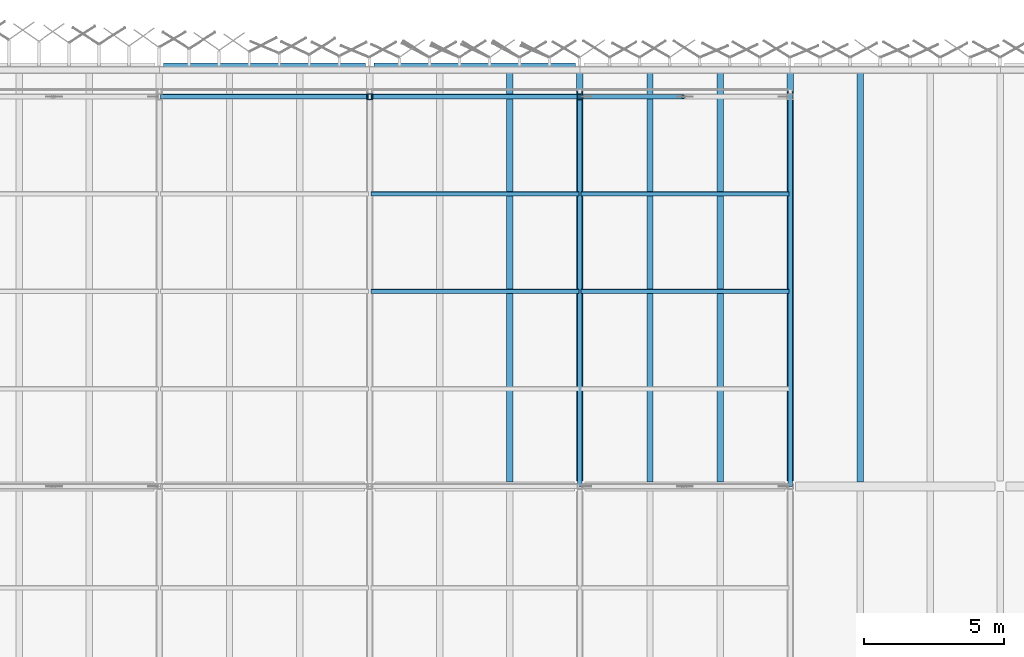
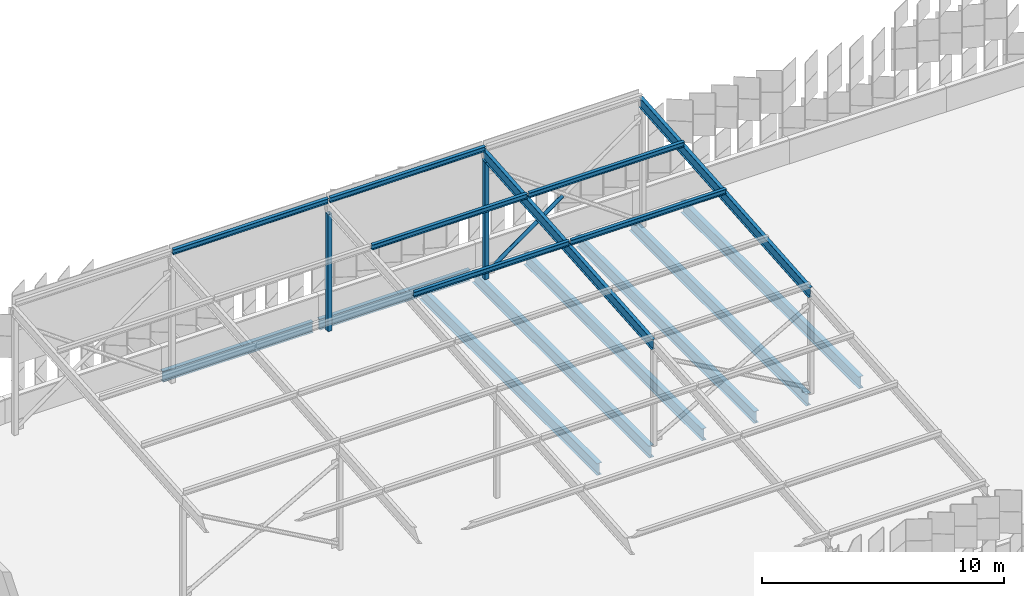
# One storey, part 95 of 483: 11 members, 8 beams.
"""IFC4 building model written with IfcOpenShell, lengths in metres."""

import ifcopenshell
import ifcopenshell.guid

model = None  # the IFC model being written
_history = None  # IfcOwnerHistory: only IFC2X3 demands one
_inside = {}  # id of a spatial element -> (the spatial element, [elements in it])
_under = {}  # id of a project, library or spatial element -> (it, [spatial elements below it])
_declared = {}  # id of a project -> (the project, [libraries it declares])
_typed = {}  # id of a type object -> (the type object, [elements of that type])
_made_of = {}  # id of a material, layer set ... -> (it, [elements and type objects made of it])


def new_model(schema):
    """Start an empty IFC model of exactly this schema.

    Asked for "IFC4X3", IfcOpenShell would pick the latest addendum, in which some entities
    have other attributes; the version numbers below select the first issue.
    IFC2X3 requires an IfcOwnerHistory on every rooted entity: one is made here for all.
    """
    global model, _history
    if schema == "IFC4X3":
        model = ifcopenshell.file(schema_version=(4, 3, 0, 0))
    else:
        model = ifcopenshell.file(schema=schema)
    _inside.clear()
    _under.clear()
    _declared.clear()
    _typed.clear()
    _made_of.clear()
    _history = None
    if model.schema == "IFC2X3":
        org = make("IfcOrganization", Name="unknown")
        user = make(
            "IfcPersonAndOrganization",
            ThePerson=make("IfcPerson", FamilyName="unknown"),
            TheOrganization=org,
        )
        app = make(
            "IfcApplication",
            ApplicationDeveloper=org,
            Version="unknown",
            ApplicationFullName="unknown",
            ApplicationIdentifier="unknown",
        )
        _history = make(
            "IfcOwnerHistory",
            OwningUser=user,
            OwningApplication=app,
            ChangeAction="ADDED",
            CreationDate=0,
        )
    return model


def make(cls, **values):
    """One entity of the class cls with the attributes given. An attribute that is None is left unset."""
    return model.create_entity(
        cls, **{name: value for name, value in values.items() if value is not None}
    )


def rooted(cls, **values):
    """An entity with a GlobalId (a new one), such as an element, a storey or a relation."""
    return make(cls, GlobalId=ifcopenshell.guid.new(), OwnerHistory=_history, **values)


def si_unit(unit_type, name, prefix=None):
    """IfcSIUnit, for example si_unit("LENGTHUNIT", "METRE", prefix="MILLI")."""
    return make("IfcSIUnit", UnitType=unit_type, Prefix=prefix, Name=name)


def assignment(units):
    """IfcUnitAssignment: the units of a project."""
    return None if units is None else make("IfcUnitAssignment", Units=units)


def point(xyz):
    """IfcCartesianPoint."""
    return None if xyz is None else make("IfcCartesianPoint", Coordinates=xyz)


def direction(xyz):
    """IfcDirection."""
    return None if xyz is None else make("IfcDirection", DirectionRatios=xyz)


def frame(location, z_axis=None, x_axis=None):
    """IfcAxis2Placement3D, a coordinate frame: its origin and axes. An axis left out is left unset."""
    return make(
        "IfcAxis2Placement3D",
        Location=point(location),
        Axis=direction(z_axis),
        RefDirection=direction(x_axis),
    )


def frame_2d(location, x_axis=None):
    """IfcAxis2Placement2D, a coordinate frame in the plane: its origin and x axis."""
    return make(
        "IfcAxis2Placement2D", Location=point(location), RefDirection=direction(x_axis)
    )


def origin():
    """The frame at (0, 0, 0) with its axes left unset."""
    return frame((0.0, 0.0, 0.0))


def origin_2d():
    """The frame at (0, 0) in the plane with its x axis left unset."""
    return frame_2d((0.0, 0.0))


def place(relative_to, where):
    """IfcLocalPlacement: puts the frame where relative to a parent placement (None: the world)."""
    return make(
        "IfcLocalPlacement", PlacementRelTo=relative_to, RelativePlacement=where
    )


def context(
    kind, dimensions, precision=None, world=None, true_north=None, identifier=None
):
    """IfcGeometricRepresentationContext, for example the 3D "Model" context."""
    return make(
        "IfcGeometricRepresentationContext",
        ContextIdentifier=identifier,
        ContextType=kind,
        CoordinateSpaceDimension=dimensions,
        Precision=precision,
        WorldCoordinateSystem=world,
        TrueNorth=true_north,
    )


def subcontext(parent, identifier, kind, view, scale=None):
    """IfcGeometricRepresentationSubContext, for example "Body" below "Model"."""
    return make(
        "IfcGeometricRepresentationSubContext",
        ContextIdentifier=identifier,
        ContextType=kind,
        ParentContext=parent,
        TargetScale=scale,
        TargetView=view,
    )


def project(units=None, contexts=None):
    """IfcProject with its units and contexts."""
    return rooted(
        "IfcProject",
        Name="project",
        RepresentationContexts=contexts,
        UnitsInContext=assignment(units),
    )


def spatial(cls, under=None, at=None, **own):
    """A site, building, storey or space (cls), placed at a placement, below another one or the project."""
    s = rooted(cls, ObjectPlacement=at, **own)
    if under is not None:
        _under.setdefault(under.id(), (under, []))[1].append(s)
    return s


def profile(cls, at=None, kind="AREA", **sizes):
    """A parametric profile (cls). Its sizes go by their IFC names, for example OverallWidth=200.0."""
    return make(cls, ProfileType=kind, Position=at, **sizes)


def hollow_rectangle(**sizes):
    """IfcRectangleHollowProfileDef."""
    return profile("IfcRectangleHollowProfileDef", **sizes)


def hollow_circle(**sizes):
    """IfcCircleHollowProfileDef."""
    return profile("IfcCircleHollowProfileDef", **sizes)


def i_section(**sizes):
    """IfcIShapeProfileDef."""
    return profile("IfcIShapeProfileDef", **sizes)


def extrude(swept, where, along, depth):
    """IfcExtrudedAreaSolid: the profile swept, set in the frame where, extruded along a direction by depth."""
    return make(
        "IfcExtrudedAreaSolid",
        SweptArea=swept,
        Position=where,
        ExtrudedDirection=direction(along),
        Depth=depth,
    )


def shape(context_of_items, identifier, shape_type, items):
    """IfcShapeRepresentation: the items that make up one representation, for example the "Body"."""
    return make(
        "IfcShapeRepresentation",
        ContextOfItems=context_of_items,
        RepresentationIdentifier=identifier,
        RepresentationType=shape_type,
        Items=items,
    )


def material(Name=None, Category=None):
    """IfcMaterial."""
    return make("IfcMaterial", Name=Name, Category=Category)


def material_profile(
    of_material, cross_section, Name=None, Category=None, Priority=None
):
    """IfcMaterialProfile: a cross section and its material."""
    return make(
        "IfcMaterialProfile",
        Name=Name,
        Material=of_material,
        Profile=cross_section,
        Priority=Priority,
        Category=Category,
    )


def profile_set(profiles, Name=None, composite=None):
    """IfcMaterialProfileSet."""
    return make(
        "IfcMaterialProfileSet",
        Name=Name,
        MaterialProfiles=profiles,
        CompositeProfile=composite,
    )


def made_of(thing, what):
    """Note that an element or type object is made of a material, layer set ...; save() writes the relation."""
    if what is not None:
        _made_of.setdefault(what.id(), (what, []))[1].append(thing)
    return thing


def type_object(cls, material=None, **own):
    """A type object (cls), such as IfcWallType, which elements share."""
    return made_of(rooted(cls, **own), material)


def element(
    cls,
    number,
    at=None,
    inside=None,
    cuts=None,
    type_object=None,
    material=None,
    context=None,
    identifier="Body",
    shape_type=None,
    held_by="IfcProductDefinitionShape",
    body=None,
    shapes=None,
    **own,
):
    """One element of the class cls, such as IfcWall. Its Tag is "e" and its number.

    at: its placement. inside: the storey or other place that contains it. cuts: it is an
    opening in that element (IfcRelVoidsElement). A single representation is given by context,
    identifier, shape_type and body (its items); several are given by shapes. held_by: the class
    of the entity that holds the representations. save() writes the other relations.
    """
    e = rooted(cls, Tag="e%d" % number, ObjectPlacement=at, **own)
    if body is not None:
        shapes = [shape(context, identifier, shape_type, body)]
    if shapes is not None:
        e.Representation = make(held_by, Representations=shapes)
    if inside is not None:
        _inside.setdefault(inside.id(), (inside, []))[1].append(e)
    if cuts is not None:
        rooted(
            "IfcRelVoidsElement", RelatingBuildingElement=cuts, RelatedOpeningElement=e
        )
    if type_object is not None:
        _typed.setdefault(type_object.id(), (type_object, []))[1].append(e)
    return made_of(e, material)


def aggregate(whole, parts):
    """IfcRelAggregates: a whole, such as a stair, and the parts it consists of."""
    return rooted("IfcRelAggregates", RelatingObject=whole, RelatedObjects=parts)


def save(model, path):
    """Write the relations noted so far, then the file.

    IfcRelAggregates (storeys below a building ...), IfcRelContainedInSpatialStructure (elements
    in a storey), IfcRelDefinesByType, IfcRelAssociatesMaterial and IfcRelDeclares: one each for
    every whole, place, type object, material and project.
    """
    for whole, parts in _under.values():
        aggregate(whole, parts)
    for where, things in _inside.values():
        rooted(
            "IfcRelContainedInSpatialStructure",
            RelatedElements=things,
            RelatingStructure=where,
        )
    for kind, things in _typed.values():
        rooted("IfcRelDefinesByType", RelatedObjects=things, RelatingType=kind)
    for what, things in _made_of.values():
        rooted("IfcRelAssociatesMaterial", RelatedObjects=things, RelatingMaterial=what)
    for by, libraries in _declared.values():
        rooted("IfcRelDeclares", RelatingContext=by, RelatedDefinitions=libraries)
    model.write(path)


model = new_model("IFC4")

# Units and contexts
model_context = context("Model", 3, precision=1e-05, world=origin(), true_north=direction((0.0, 1.0)))
body_context = subcontext(model_context, "Body", "Model", "MODEL_VIEW")
ifc_project = project(units=[si_unit("LENGTHUNIT", "METRE"), si_unit("AREAUNIT", "SQUARE_METRE"), si_unit("VOLUMEUNIT", "CUBIC_METRE"), si_unit("PLANEANGLEUNIT", "RADIAN"), si_unit("MASSUNIT", "GRAM", prefix="KILO")], contexts=[model_context])

# Site, building, storey
site_placement = place(None, origin())
site = spatial("IfcSite", under=ifc_project, at=site_placement, CompositionType="ELEMENT")
building_placement = place(site_placement, origin())
building = spatial("IfcBuilding", under=site, at=building_placement, Name="Parallax Yard Mobility Hub", CompositionType="ELEMENT")
storey_placement = place(building_placement, frame((0.0, 0.0, 13.199951171875)))
storey = spatial("IfcBuildingStorey", under=building, at=storey_placement, Name="L04", CompositionType="ELEMENT", Elevation=13.199951171875)

# Members
ifc_material_1 = material(Name="Steel ASTM A500 Gr C", Category="steel")
ifc_material_profile_1 = material_profile(ifc_material_1, hollow_circle(Radius=0.0888671875, WallThickness=0.0078125, at=origin_2d()), Name="HSS177.8x7.9")
ifc_profile_set_1 = profile_set([ifc_material_profile_1], Name="Steel ASTM A500 Gr C")
member_type_1 = type_object("IfcMemberType", Name="Canopy brace HSS177.8x7.9", PredefinedType="BRACE", material=ifc_profile_set_1)
member_placement = place(storey_placement, frame((52.586669921875, 141.39990234375, 0.300048828125), z_axis=(0.812232602015, 0.0, 0.58333369543), x_axis=(0.0, 1.0, 0.0)))
element("IfcMember", 1, at=member_placement, inside=storey, type_object=member_type_1, Name="Canopy X brace RC bay N-A bay 4 diagonal A part 1", PredefinedType="BRACE", context=body_context, shape_type="SweptSolid", body=[
    extrude(hollow_circle(Radius=0.0888671875, WallThickness=0.0078125, at=origin_2d()), origin(), (0.0, 0.0, 1.0), 4.42626953125),
])
ifc_material_profile_2 = material_profile(ifc_material_1, hollow_rectangle(XDim=0.203125, YDim=0.203125, WallThickness=0.009521484375, at=origin_2d()), Name="HSS203x203x9.5")
ifc_profile_set_2 = profile_set([ifc_material_profile_2], Name="Steel ASTM A500 Gr C")
member_type_2 = type_object("IfcMemberType", Name="Canopy post HSS203x203x9.5", PredefinedType="POST", material=ifc_profile_set_2)
for number, where, z_axis, x_axis, name in (
    (2, (45.0, 141.39990234375, 0.0), (0.0, 0.0, 1.0), (1.0, 0.0, 0.0), "Canopy post RC/N-A3"),
    (3, (52.5, 141.39990234375, 0.0), (0.0, 0.0, 1.0), (1.0, 0.0, 0.0), "Canopy post RC/N-A4"),
):
    element("IfcMember", number, at=place(storey_placement, frame(where, z_axis=z_axis, x_axis=x_axis)), inside=storey, type_object=member_type_2, Name=name, PredefinedType="POST", context=body_context, shape_type="SweptSolid", body=[
        extrude(hollow_rectangle(XDim=0.203125, YDim=0.203125, WallThickness=0.009521484375, at=origin_2d()), origin(), (0.0, 0.0, 1.0), 5.922119140625),
    ])
ifc_material_2 = material(Name="Steel ASTM A992", Category="steel")
ifc_material_profile_3 = material_profile(ifc_material_2, i_section(OverallWidth=0.14794921875, OverallDepth=0.26611328125, WebThickness=0.007568359375, FlangeThickness=0.012939453125, at=origin_2d()), Name="W250x45")
ifc_profile_set_3 = profile_set([ifc_material_profile_3], Name="Steel ASTM A992")
member_type_3 = type_object("IfcMemberType", Name="Canopy purlin W250x45", PredefinedType="PURLIN", material=ifc_profile_set_3)
for number, where, z_axis, x_axis, name in (
    (4, (37.5400390625, 141.41064453125, 6.573974609375), (1.0, 0.0, 0.0), (0.0, 0.996815308126, 0.079744852409), "Canopy purlin sector N-A bay 2 line 9"),
    (5, (45.0400390625, 134.460693359375, 6.01806640625), (1.0, 0.0, 0.0), (0.0, 0.996815308126, 0.079744852409), "Canopy purlin sector N-A bay 3 line 7"),
    (6, (45.0400390625, 137.935546875, 6.296142578125), (1.0, 0.0, 0.0), (0.0, 0.996815308126, 0.079744852409), "Canopy purlin sector N-A bay 3 line 8"),
    (7, (45.0400390625, 141.41064453125, 6.573974609375), (1.0, 0.0, 0.0), (0.0, 0.996815308126, 0.079744852409), "Canopy purlin sector N-A bay 3 line 9"),
    (8, (52.5400390625, 134.460693359375, 6.01806640625), (1.0, 0.0, 0.0), (0.0, 0.996815308126, 0.079744852409), "Canopy purlin sector N-A bay 4 line 7"),
    (9, (52.5400390625, 137.935546875, 6.296142578125), (1.0, 0.0, 0.0), (0.0, 0.996815308126, 0.079744852409), "Canopy purlin sector N-A bay 4 line 8"),
):
    element("IfcMember", number, at=place(storey_placement, frame(where, z_axis=z_axis, x_axis=x_axis)), inside=storey, type_object=member_type_3, Name=name, PredefinedType="PURLIN", context=body_context, shape_type="SweptSolid", body=[
        extrude(i_section(OverallWidth=0.14794921875, OverallDepth=0.26611328125, WebThickness=0.007568359375, FlangeThickness=0.012939453125, at=origin_2d()), origin(), (0.0, 0.0, 1.0), 7.419921875),
    ])
ifc_material_profile_4 = material_profile(ifc_material_2, i_section(OverallWidth=0.166015625, OverallDepth=0.529052734375, WebThickness=0.009765625, FlangeThickness=0.013671875, at=origin_2d()), Name="W530x74")
ifc_profile_set_4 = profile_set([ifc_material_profile_4], Name="Steel ASTM A992")
member_type_4 = type_object("IfcMemberType", Name="Canopy rafter W530x74", PredefinedType="RAFTER", material=ifc_profile_set_4)
for number, where, z_axis, x_axis, name in (
    (10, (52.5, 127.52099609375, 5.067138671875), (0.0, 0.996815168385, 0.079746599163), (-1.0, 0.0, 0.0), "Canopy rafter N-A4 outer span"),
    (11, (60.0, 127.52099609375, 5.067138671875), (0.0, 0.996815168385, 0.079746599163), (-1.0, 0.0, 0.0), "Canopy rafter N-A5 outer span"),
):
    element("IfcMember", number, at=place(storey_placement, frame(where, z_axis=z_axis, x_axis=x_axis)), inside=storey, type_object=member_type_4, Name=name, PredefinedType="RAFTER", context=body_context, shape_type="SweptSolid", body=[
        extrude(i_section(OverallWidth=0.166015625, OverallDepth=0.529052734375, WebThickness=0.009765625, FlangeThickness=0.013671875, at=origin_2d()), origin(), (0.0, 0.0, 1.0), 14.094970703125),
    ])

# Beams
ifc_material_profile_5 = material_profile(ifc_material_2, i_section(OverallWidth=0.208984375, OverallDepth=0.532958984375, WebThickness=0.01025390625, FlangeThickness=0.015625, FilletRadius=0.0126953125, at=origin_2d()), Name="W530x92")
ifc_profile_set_5 = profile_set([ifc_material_profile_5], Name="Steel ASTM A992")
beam_type_1 = type_object("IfcBeamType", Name="W530x92 edge beam", PredefinedType="SPANDREL", material=ifc_profile_set_5)
for number, where, z_axis, x_axis, name in (
    (12, (37.652587890625, 142.5, -0.406494140625), (1.0, 0.0, 0.0), (0.0, 1.0, 0.0), "Edge beam SB5 level L04, line V of ramped parking decks, span 2"),
    (13, (45.152587890625, 142.5, -0.406494140625), (1.0, 0.0, 0.0), (0.0, 1.0, 0.0), "Edge beam SB5 level L04, line V of ramped parking decks, span 3"),
):
    element("IfcBeam", number, at=place(storey_placement, frame(where, z_axis=z_axis, x_axis=x_axis)), inside=storey, type_object=beam_type_1, Name=name, PredefinedType="SPANDREL", context=body_context, shape_type="SweptSolid", body=[
        extrude(i_section(OverallWidth=0.208984375, OverallDepth=0.532958984375, WebThickness=0.01025390625, FlangeThickness=0.015625, FilletRadius=0.0126953125, at=origin_2d()), origin(), (0.0, 0.0, 1.0), 7.19482421875),
    ])
ifc_material_profile_6 = material_profile(ifc_material_2, i_section(OverallWidth=0.22802734375, OverallDepth=0.60205078125, WebThickness=0.010498046875, FlangeThickness=0.014892578125, FilletRadius=0.0126953125, at=origin_2d()), Name="W610x101")
ifc_profile_set_6 = profile_set([ifc_material_profile_6], Name="Steel ASTM A992")
beam_type_2 = type_object("IfcBeamType", Name="W610x101 secondary beam", PredefinedType="JOIST", material=ifc_profile_set_6)
for number, where, z_axis, x_axis, name in (
    (14, (55.0, 127.66259765625, -0.44091796875), (0.0, 1.0, 0.0), (-1.0, 0.0, 0.0), "Secondary beam B3 level L04, 2.5 m east of line 8 of ramped parking decks, span 2"),
    (15, (62.5, 127.66259765625, -0.44091796875), (0.0, 1.0, 0.0), (-1.0, 0.0, 0.0), "Secondary beam B3 level L04, 2.5 m east of line 9 of ramped parking decks, span 2"),
    (16, (50.0, 127.66259765625, -0.44091796875), (0.0, 1.0, 0.0), (-1.0, 0.0, 0.0), "Secondary beam B3 level L04, 5 m east of line 7 of ramped parking decks, span 2"),
    (17, (57.5, 127.66259765625, -0.44091796875), (0.0, 1.0, 0.0), (-1.0, 0.0, 0.0), "Secondary beam B3 level L04, 5 m east of line 8 of ramped parking decks, span 2"),
):
    element("IfcBeam", number, at=place(storey_placement, frame(where, z_axis=z_axis, x_axis=x_axis)), inside=storey, type_object=beam_type_2, Name=name, PredefinedType="JOIST", context=body_context, shape_type="SweptSolid", body=[
        extrude(i_section(OverallWidth=0.22802734375, OverallDepth=0.60205078125, WebThickness=0.010498046875, FlangeThickness=0.014892578125, FilletRadius=0.0126953125, at=origin_2d()), origin(), (0.0, 0.0, 1.0), 14.73291015625),
    ])
ifc_material_profile_7 = material_profile(ifc_material_2, i_section(OverallWidth=0.22900390625, OverallDepth=0.612060546875, WebThickness=0.011962890625, FlangeThickness=0.01953125, FilletRadius=0.0126953125, at=origin_2d()), Name="W610x125")
ifc_profile_set_7 = profile_set([ifc_material_profile_7], Name="Steel ASTM A992")
beam_type_3 = type_object("IfcBeamType", Name="W610x125 girder", PredefinedType="BEAM", material=ifc_profile_set_7)
for number, where, z_axis, x_axis, name in (
    (18, (52.5, 127.68408203125, -0.446044921875), (0.0, 1.0, 0.0), (-1.0, 0.0, 0.0), "Girder G3 level L04, line 8 of ramped parking decks, span 2"),
    (19, (60.0, 127.68408203125, -0.446044921875), (0.0, 1.0, 0.0), (-1.0, 0.0, 0.0), "Girder G3 level L04, line 9 of ramped parking decks, span 2"),
):
    element("IfcBeam", number, at=place(storey_placement, frame(where, z_axis=z_axis, x_axis=x_axis)), inside=storey, type_object=beam_type_3, Name=name, PredefinedType="BEAM", context=body_context, shape_type="SweptSolid", body=[
        extrude(i_section(OverallWidth=0.22900390625, OverallDepth=0.612060546875, WebThickness=0.011962890625, FlangeThickness=0.01953125, FilletRadius=0.0126953125, at=origin_2d()), origin(), (0.0, 0.0, 1.0), 14.662353515625),
    ])

save(model, "model.ifc")
